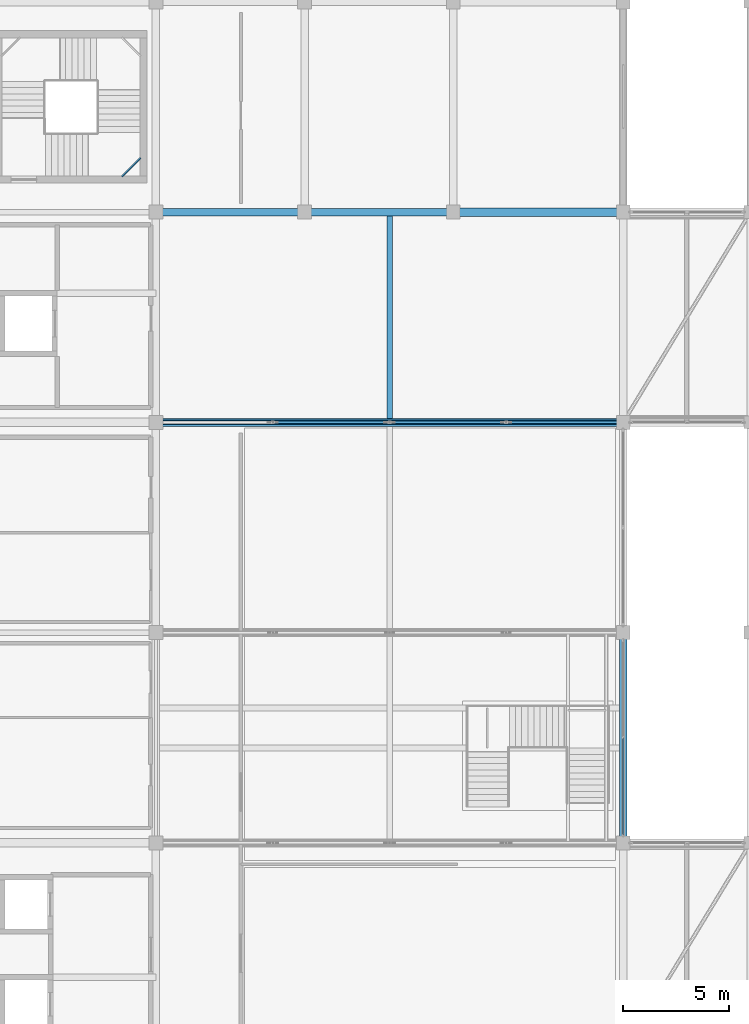
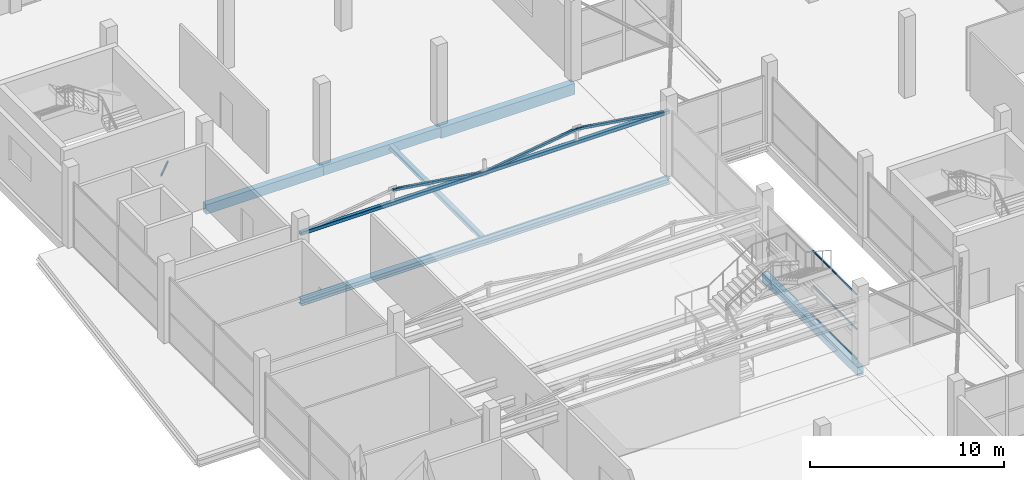
# One storey, part 28 of 66: 7 beams, 7 members, 1 element without a shape of its own.
"""IFC4 building model written with IfcOpenShell, lengths in metres."""

from ifc_helpers import new_model, si_unit, direction, frame, origin, origin_2d, place, context, subcontext, project, spatial, rectangle, hollow_rectangle, i_section, extrude, material, layer, layer_set, material_profile, profile_set, type_object, element, aggregate, save


model = new_model("IFC4")

# Units and contexts
model_context = context("Model", 3, precision=1e-05, world=origin(), true_north=direction((0.0, 1.0)))
body_context = subcontext(model_context, "Body", "Model", "MODEL_VIEW")
ifc_project = project(units=[si_unit("LENGTHUNIT", "METRE"), si_unit("AREAUNIT", "SQUARE_METRE"), si_unit("VOLUMEUNIT", "CUBIC_METRE"), si_unit("PLANEANGLEUNIT", "RADIAN"), si_unit("MASSUNIT", "GRAM", prefix="KILO")], contexts=[model_context])

# Site, building, storey
site_placement = place(None, origin())
site = spatial("IfcSite", under=ifc_project, at=site_placement, CompositionType="ELEMENT")
building_placement = place(site_placement, origin())
building = spatial("IfcBuilding", under=site, at=building_placement, Name="Sillaruma Civic Art Gallery", CompositionType="ELEMENT")
storey_placement = place(building_placement, frame((0.0, 0.0, 57.1201171875)))
storey = spatial("IfcBuildingStorey", under=building, at=storey_placement, Name="L11", CompositionType="ELEMENT", Elevation=57.1201171875)

# Beams
ifc_material_1 = material(Name="Concrete H35 (35 MPa)", Category="concrete")
ifc_material_profile_1 = material_profile(ifc_material_1, rectangle(XDim=0.35009765625, YDim=0.60009765625, at=origin_2d()), Name="RCB350x600")
ifc_profile_set_1 = profile_set([ifc_material_profile_1], Name="Concrete H35 (35 MPa)")
beam_type_1 = type_object("IfcBeamType", Name="BM-BEAM-RCB350x600", PredefinedType="BEAM", material=ifc_profile_set_1)
for number, where, z_axis, x_axis, name in (
    (1, (70.0, 79.199951171875, -0.550048828125), (1.0, 0.0, 0.0), (0.0, 1.0, 0.0), "Beam BM-06 (L10:9:G-H)"),
    (2, (77.0, 79.199951171875, -0.550048828125), (1.0, 0.0, 0.0), (0.0, 1.0, 0.0), "Beam BM-06 (L10:9:H-J)"),
):
    element("IfcBeam", number, at=place(storey_placement, frame(where, z_axis=z_axis, x_axis=x_axis)), inside=storey, type_object=beam_type_1, Name=name, PredefinedType="BEAM", context=body_context, shape_type="SweptSolid", body=[
        extrude(rectangle(XDim=0.35009765625, YDim=0.60009765625, at=origin_2d()), origin(), (0.0, 0.0, 1.0), 7.0),
    ])
ifc_material_profile_2 = material_profile(ifc_material_1, rectangle(XDim=0.39990234375, YDim=0.699951171875, at=origin_2d()), Name="RCB400x700")
ifc_profile_set_2 = profile_set([ifc_material_profile_2], Name="Concrete H35 (35 MPa)")
beam_type_2 = type_object("IfcBeamType", Name="BM-BEAM-RCB400x700", PredefinedType="BEAM", material=ifc_profile_set_2)
beam_1_placement = place(storey_placement, frame((84.0, 79.199951171875, -0.60009765625), z_axis=(1.0, 0.0, 0.0), x_axis=(0.0, 1.0, 0.0)))
element("IfcBeam", 3, at=beam_1_placement, inside=storey, type_object=beam_type_2, Name="Beam BM-04 (L10:9:J-K)", PredefinedType="BEAM", context=body_context, shape_type="SweptSolid", body=[
    extrude(rectangle(XDim=0.39990234375, YDim=0.699951171875, at=origin_2d()), origin(), (0.0, 0.0, 1.0), 8.0),
])
ifc_material_2 = material(Name="Structural Steel ASTM A992 Gr.50", Category="steel")
ifc_material_profile_3 = material_profile(ifc_material_2, i_section(OverallWidth=0.256103515625, OverallDepth=0.260009765625, WebThickness=0.0107421875, FlangeThickness=0.017333984375, FilletRadius=0.012939453125, at=origin_2d()), Name="W250x89")
ifc_profile_set_3 = profile_set([ifc_material_profile_3], Name="Structural Steel ASTM A992 Gr.50")
beam_type_3 = type_object("IfcBeamType", Name="BM-JOIST-W250x89", PredefinedType="JOIST", material=ifc_profile_set_3)
beam_2_placement = place(storey_placement, frame((81.0, 69.485595703125, -0.380126953125), z_axis=(0.0, 1.0, 0.0), x_axis=(-1.0, 0.0, 0.0)))
element("IfcBeam", 4, at=beam_2_placement, inside=storey, type_object=beam_type_3, Name="Long-Span Gallery Joist JS-04 (L10:8-9)", PredefinedType="JOIST", context=body_context, shape_type="SweptSolid", body=[
    extrude(i_section(OverallWidth=0.256103515625, OverallDepth=0.260009765625, WebThickness=0.0107421875, FlangeThickness=0.017333984375, FilletRadius=0.012939453125, at=origin_2d()), origin(), (0.0, 0.0, 1.0), 9.539306640625),
])
ifc_material_3 = material(Name="Structural Steel ASTM A500 Gr.C", Category="steel")
ifc_material_profile_4 = material_profile(ifc_material_3, hollow_rectangle(XDim=0.080078125, YDim=0.159912109375, WallThickness=0.008056640625, InnerFilletRadius=0.008056640625, OuterFilletRadius=0.01611328125, at=origin_2d()), Name="HSS160x80x8")
ifc_profile_set_4 = profile_set([ifc_material_profile_4], Name="Structural Steel ASTM A500 Gr.C")
beam_type_4 = type_object("IfcBeamType", Name="BM-LND-HSS160", PredefinedType="BEAM", material=ifc_profile_set_4)
beam_3_placement = place(storey_placement, frame((68.389892578125, 80.8701171875, 1.079833984375), z_axis=(0.707203758046, 0.707009791025, 0.0), x_axis=(-0.707009791025, 0.707203758046, 0.0)))
element("IfcBeam", 5, at=beam_3_placement, inside=storey, type_object=beam_type_4, Name="Stair Corner Landing Trimmer Beam (ST-02-L11-1)", PredefinedType="BEAM", context=body_context, shape_type="SweptSolid", body=[
    extrude(hollow_rectangle(XDim=0.080078125, YDim=0.159912109375, WallThickness=0.008056640625, InnerFilletRadius=0.008056640625, OuterFilletRadius=0.01611328125, at=origin_2d()), origin(), (0.0, 0.0, 1.0), 1.2587890625),
])
ifc_material_profile_5 = material_profile(ifc_material_1, rectangle(XDim=0.35009765625, YDim=0.550048828125, at=origin_2d()), Name="RCB350x550")
ifc_profile_set_5 = profile_set([ifc_material_profile_5], Name="Concrete H35 (35 MPa)")
beam_type_5 = type_object("IfcBeamType", Name="BM-SPANDREL-RCB350x550", PredefinedType="SPANDREL", material=ifc_profile_set_5)
beam_4_placement = place(storey_placement, frame((92.0, 49.5, -0.525146484375), z_axis=(0.0, 1.0, 0.0), x_axis=(-1.0, 0.0, 0.0)))
element("IfcBeam", 6, at=beam_4_placement, inside=storey, type_object=beam_type_5, Name="Beam BS-04 (L10:K:6-7)", PredefinedType="SPANDREL", context=body_context, shape_type="SweptSolid", body=[
    extrude(rectangle(XDim=0.35009765625, YDim=0.550048828125, at=origin_2d()), origin(), (0.0, 0.0, 1.0), 9.89990234375),
])
ifc_material_profile_6 = material_profile(ifc_material_2, i_section(OverallWidth=0.37109375, OverallDepth=0.364013671875, WebThickness=0.01318359375, FlangeThickness=0.021728515625, FilletRadius=0.014892578125, at=origin_2d()), Name="W360x162")
ifc_profile_set_6 = profile_set([ifc_material_profile_6], Name="Structural Steel ASTM A992 Gr.50")
beam_type_6 = type_object("IfcBeamType", Name="BM-TRTOP-W360x162", PredefinedType="BEAM", material=ifc_profile_set_6)
beam_5_placement = place(storey_placement, frame((70.0, 69.300048828125, -0.43212890625), z_axis=(1.0, 0.0, 0.0), x_axis=(0.0, 1.0, 0.0)))
element("IfcBeam", 7, at=beam_5_placement, inside=storey, type_object=beam_type_6, Name="Warren Truss Top Chord TR-L10-3", PredefinedType="BEAM", context=body_context, shape_type="SweptSolid", body=[
    extrude(i_section(OverallWidth=0.37109375, OverallDepth=0.364013671875, WebThickness=0.01318359375, FlangeThickness=0.021728515625, FilletRadius=0.014892578125, at=origin_2d()), origin(), (0.0, 0.0, 1.0), 22.0),
])

# Members
ifc_material_profile_7 = material_profile(ifc_material_3, hollow_rectangle(XDim=0.14990234375, YDim=0.14990234375, WallThickness=0.010009765625, InnerFilletRadius=0.010009765625, OuterFilletRadius=0.02001953125, at=origin_2d()), Name="HSS150x150x10")
ifc_profile_set_7 = profile_set([ifc_material_profile_7], Name="Structural Steel ASTM A500 Gr.C")
member_type_1 = type_object("IfcMemberType", Name="MEM-BRACE-HSS150x150x10", PredefinedType="BRACE", material=ifc_profile_set_7)
for number, where, z_axis, x_axis, name in (
    (8, (75.5, 69.300048828125, 4.68798828125), (0.989377720719, 0.0, -0.145367553959), (0.0, 1.0, 0.0), "Warren Truss Diagonal TR-L11-3-D2"),
    (9, (81.0, 69.300048828125, 3.8798828125), (0.989377720719, 0.0, 0.145367553959), (0.0, 1.0, 0.0), "Warren Truss Diagonal TR-L11-3-D3"),
    (10, (86.5, 69.300048828125, 4.68798828125), (0.989377720719, 0.0, -0.145367553959), (0.0, 1.0, 0.0), "Warren Truss Diagonal TR-L11-3-D4"),
):
    element("IfcMember", number, at=place(storey_placement, frame(where, z_axis=z_axis, x_axis=x_axis)), inside=storey, type_object=member_type_1, Name=name, PredefinedType="BRACE", context=body_context, shape_type="SweptSolid", body=[
        extrude(hollow_rectangle(XDim=0.14990234375, YDim=0.14990234375, WallThickness=0.010009765625, InnerFilletRadius=0.010009765625, OuterFilletRadius=0.02001953125, at=origin_2d()), origin(), (0.0, 0.0, 1.0), 5.55908203125),
    ])
ifc_material_profile_8 = material_profile(ifc_material_3, hollow_rectangle(XDim=0.219970703125, YDim=0.219970703125, WallThickness=0.012451171875, InnerFilletRadius=0.012451171875, OuterFilletRadius=0.02490234375, at=origin_2d()), Name="HSS220x220x12.5")
ifc_profile_set_8 = profile_set([ifc_material_profile_8], Name="Structural Steel ASTM A500 Gr.C")
member_type_2 = type_object("IfcMemberType", Name="MEM-CHORD-HSS220x220x12.5", PredefinedType="CHORD", material=ifc_profile_set_8)
member_1_placement = place(storey_placement, frame((70.0, 69.300048828125, 3.8798828125), z_axis=(1.0, 0.0, 0.0), x_axis=(0.0, 1.0, 0.0)))
element("IfcMember", 11, at=member_1_placement, inside=storey, type_object=member_type_2, Name="Warren Truss Bottom Chord TR-L11-3", PredefinedType="CHORD", context=body_context, shape_type="SweptSolid", body=[
    extrude(hollow_rectangle(XDim=0.219970703125, YDim=0.219970703125, WallThickness=0.012451171875, InnerFilletRadius=0.012451171875, OuterFilletRadius=0.02490234375, at=origin_2d()), origin(), (0.0, 0.0, 1.0), 22.0),
])

# Curtain wall, members
ifc_material_4 = material(Name="Thermally Broken Extruded Aluminium 6063-T6", Category="aluminium")
ifc_layer = layer(ifc_material_4, 0.139892578125, Name="Thermally Broken Extruded Aluminium 6063-T6")
ifc_layer_set = layer_set([ifc_layer], Name="Thermally Broken Extruded Aluminium 6063-T6")
curtain_wall_type = type_object("IfcCurtainWallType", Name="CW-UNI-71", PredefinedType="NOTDEFINED", material=ifc_layer_set)
curtain_wall_placement = place(storey_placement, origin())
curtain_wall = element("IfcCurtainWall", 12, at=curtain_wall_placement, inside=storey, type_object=curtain_wall_type, Name="Unitised Curtain Wall CW-71 (CW-L11-WBE-4)", PredefinedType="NOTDEFINED")
ifc_material_profile_9 = material_profile(ifc_material_4, hollow_rectangle(XDim=0.06005859375, YDim=0.10009765625, WallThickness=0.003173828125, at=origin_2d()), Name="CWT60x100")
ifc_profile_set_9 = profile_set([ifc_material_profile_9], Name="Thermally Broken Extruded Aluminium 6063-T6")
member_type_3 = type_object("IfcMemberType", Name="MEM-TRN-CWT60x100", PredefinedType="USERDEFINED", material=ifc_profile_set_9)
member_2_placement = place(storey_placement, frame((92.0, 49.885009765625, 0.02978515625), z_axis=(0.0, 1.0, 0.0), x_axis=(-1.0, 0.0, 0.0)))
member_2 = element("IfcMember", 13, at=member_2_placement, type_object=member_type_3, Name="CW-71 transom 1.1", ObjectType="TRANSOM", PredefinedType="USERDEFINED", context=body_context, shape_type="SweptSolid", body=[
    extrude(hollow_rectangle(XDim=0.06005859375, YDim=0.10009765625, WallThickness=0.003173828125, at=origin_2d()), origin(), (0.0, 0.0, 1.0), 4.534912109375),
])
member_3_placement = place(storey_placement, frame((92.0, 49.885009765625, 1.89501953125), z_axis=(0.0, 1.0, 0.0), x_axis=(-1.0, 0.0, 0.0)))
member_3 = element("IfcMember", 14, at=member_3_placement, type_object=member_type_3, Name="CW-71 transom 1.2", ObjectType="TRANSOM", PredefinedType="USERDEFINED", context=body_context, shape_type="SweptSolid", body=[
    extrude(hollow_rectangle(XDim=0.06005859375, YDim=0.10009765625, WallThickness=0.003173828125, at=origin_2d()), origin(), (0.0, 0.0, 1.0), 4.534912109375),
])
member_4_placement = place(storey_placement, frame((92.0, 49.885009765625, 4.08984375), z_axis=(0.0, 1.0, 0.0), x_axis=(-1.0, 0.0, 0.0)))
member_4 = element("IfcMember", 15, at=member_4_placement, type_object=member_type_3, Name="CW-71 transom 1.3", ObjectType="TRANSOM", PredefinedType="USERDEFINED", context=body_context, shape_type="SweptSolid", body=[
    extrude(hollow_rectangle(XDim=0.06005859375, YDim=0.10009765625, WallThickness=0.003173828125, at=origin_2d()), origin(), (0.0, 0.0, 1.0), 4.534912109375),
])
aggregate(curtain_wall, [member_2, member_3, member_4])

save(model, "model.ifc")
